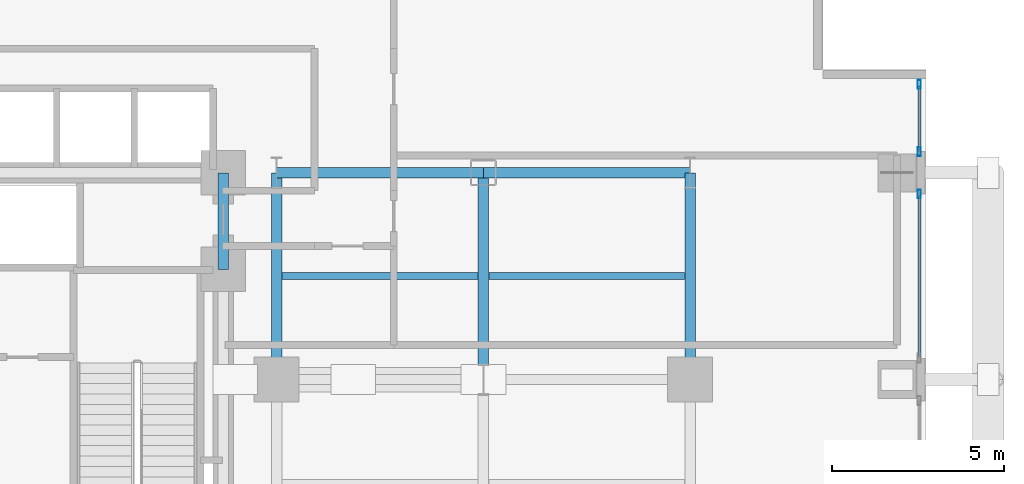
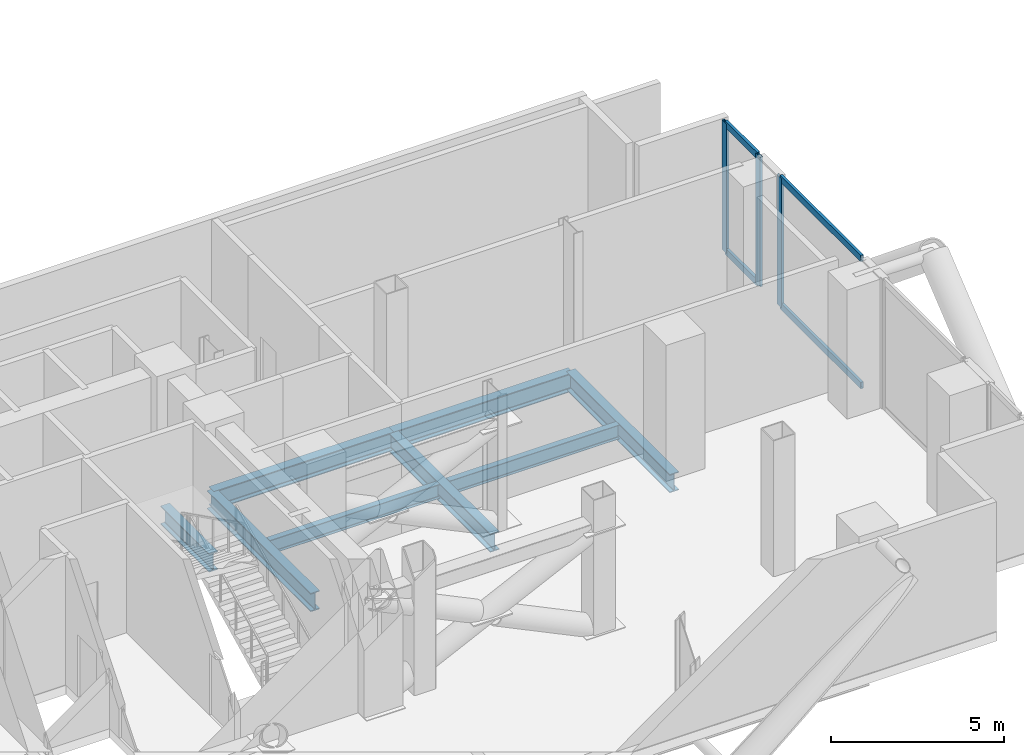
# One storey, part 5 of 10: 8 beams, 7 members, 2 elements without a shape of their own.
"""IFC4 building model written with IfcOpenShell, lengths in metres."""

from ifc_helpers import new_model, si_unit, direction, frame, origin, origin_2d, place, context, subcontext, project, spatial, hollow_rectangle, i_section, extrude, material, layer, layer_set, material_profile, profile_set, type_object, element, aggregate, save


model = new_model("IFC4")

# Units and contexts
model_context = context("Model", 3, precision=1e-05, world=origin(), true_north=direction((0.0, 1.0)))
body_context = subcontext(model_context, "Body", "Model", "MODEL_VIEW")
ifc_project = project(units=[si_unit("LENGTHUNIT", "METRE"), si_unit("AREAUNIT", "SQUARE_METRE"), si_unit("VOLUMEUNIT", "CUBIC_METRE"), si_unit("PLANEANGLEUNIT", "RADIAN"), si_unit("MASSUNIT", "GRAM", prefix="KILO"), si_unit("THERMODYNAMICTEMPERATUREUNIT", "KELVIN"), si_unit("POWERUNIT", "WATT")], contexts=[model_context])

# Site, building, storey
site_placement = place(None, origin())
site = spatial("IfcSite", under=ifc_project, at=site_placement, CompositionType="ELEMENT")
building_placement = place(site_placement, origin())
building = spatial("IfcBuilding", under=site, at=building_placement, Name="Svarakhadi Broadcast Tower", CompositionType="ELEMENT")
storey_placement = place(building_placement, frame((0.0, 0.0, 94.800048828125)))
storey = spatial("IfcBuildingStorey", under=building, at=storey_placement, Name="L22", CompositionType="ELEMENT", Elevation=94.800048828125)

# Beams
ifc_material_1 = material(Name="Steel S355J2 (IS 2062 E350C)", Category="steel")
ifc_material_profile_1 = material_profile(ifc_material_1, i_section(OverallWidth=0.199951171875, OverallDepth=0.5, WebThickness=0.01025390625, FlangeThickness=0.01611328125, FilletRadius=0.02099609375, at=origin_2d()), Name="NPB 500x200x91")
ifc_profile_set_1 = profile_set([ifc_material_profile_1], Name="Steel S355J2 (IS 2062 E350C)")
beam_type_1 = type_object("IfcBeamType", Name="Beam_NPB500", PredefinedType="BEAM", material=ifc_profile_set_1)
for number, where, z_axis, x_axis, name in (
    (1, (35.31005859375, 15.0, -0.574951171875), (1.0, 0.0, 0.0), (0.0, 1.0, 0.0), "L22 Secondary Composite Beam SB024"),
    (2, (41.31005859375, 15.0, -0.574951171875), (1.0, 0.0, 0.0), (0.0, 1.0, 0.0), "L22 Secondary Composite Beam SB027"),
):
    element("IfcBeam", number, at=place(storey_placement, frame(where, z_axis=z_axis, x_axis=x_axis)), inside=storey, type_object=beam_type_1, Name=name, PredefinedType="BEAM", context=body_context, shape_type="SweptSolid", body=[
        extrude(i_section(OverallWidth=0.199951171875, OverallDepth=0.5, WebThickness=0.01025390625, FlangeThickness=0.01611328125, FilletRadius=0.02099609375, at=origin_2d()), origin(), (0.0, 0.0, 1.0), 5.679931640625),
    ])

# Curtain wall, members
ifc_material_2 = material(Name="Anodised Bronze Aluminium AA 6063-T6", Category="aluminium")
ifc_layer = layer(ifc_material_2, 0.260009765625)
ifc_layer_set = layer_set([ifc_layer], Name="Anodised Bronze Aluminium AA 6063-T6")
curtain_wall_type = type_object("IfcCurtainWallType", Name="CW_Sys_07", PredefinedType="NOTDEFINED", material=ifc_layer_set)
curtain_wall_1_placement = place(storey_placement, origin())
curtain_wall_1 = element("IfcCurtainWall", 3, at=curtain_wall_1_placement, inside=storey, type_object=curtain_wall_type, Name="L22 East Plant Daylighting Curtain Wall CW-07 Bay 1", PredefinedType="NOTDEFINED")
ifc_material_profile_2 = material_profile(ifc_material_2, hollow_rectangle(XDim=0.090087890625, YDim=0.260009765625, WallThickness=0.005615234375, at=origin_2d()), Name="ALU MULLION 260x90x6")
ifc_profile_set_2 = profile_set([ifc_material_profile_2], Name="Anodised Bronze Aluminium AA 6063-T6")
member_type_1 = type_object("IfcMemberType", Name="CW_Sys_07_Mul", PredefinedType="MULLION", material=ifc_profile_set_2)
member_1_placement = place(storey_placement, frame((53.800048828125, 20.56494140625, 0.0), z_axis=(0.0, 0.0, 1.0), x_axis=(1.0, 0.0, 0.0)))
member_1 = element("IfcMember", 4, at=member_1_placement, type_object=member_type_1, Name="CW-07 mullion 1", PredefinedType="MULLION", context=body_context, shape_type="SweptSolid", body=[
    extrude(hollow_rectangle(XDim=0.090087890625, YDim=0.260009765625, WallThickness=0.005615234375, at=origin_2d()), origin(), (0.0, 0.0, 1.0), 4.574951171875),
])
member_2_placement = place(storey_placement, frame((53.800048828125, 18.614990234375, 0.0), z_axis=(0.0, 0.0, 1.0), x_axis=(1.0, 0.0, 0.0)))
member_2 = element("IfcMember", 5, at=member_2_placement, type_object=member_type_1, Name="CW-07 mullion 2", PredefinedType="MULLION", context=body_context, shape_type="SweptSolid", body=[
    extrude(hollow_rectangle(XDim=0.090087890625, YDim=0.260009765625, WallThickness=0.005615234375, at=origin_2d()), origin(), (0.0, 0.0, 1.0), 4.574951171875),
])

# Curtain wall, member
curtain_wall_2_placement = place(storey_placement, origin())
curtain_wall_2 = element("IfcCurtainWall", 6, at=curtain_wall_2_placement, inside=storey, type_object=curtain_wall_type, Name="L22 East Plant Daylighting Curtain Wall CW-07 Bay 2", PredefinedType="NOTDEFINED")
member_3_placement = place(storey_placement, frame((53.800048828125, 17.385009765625, 0.0), z_axis=(0.0, 0.0, 1.0), x_axis=(1.0, 0.0, 0.0)))
member_3 = element("IfcMember", 7, at=member_3_placement, type_object=member_type_1, Name="CW-07 mullion 1", PredefinedType="MULLION", context=body_context, shape_type="SweptSolid", body=[
    extrude(hollow_rectangle(XDim=0.090087890625, YDim=0.260009765625, WallThickness=0.005615234375, at=origin_2d()), origin(), (0.0, 0.0, 1.0), 4.574951171875),
])

# Member
ifc_material_profile_3 = material_profile(ifc_material_2, hollow_rectangle(XDim=0.090087890625, YDim=0.22998046875, WallThickness=0.0048828125, at=origin_2d()), Name="ALU TRANSOM 230x90x5")
ifc_profile_set_3 = profile_set([ifc_material_profile_3], Name="Anodised Bronze Aluminium AA 6063-T6")
member_type_2 = type_object("IfcMemberType", Name="CW_Sys_07_Trn", PredefinedType="USERDEFINED", material=ifc_profile_set_3)
member_4_placement = place(storey_placement, frame((53.800048828125, 20.52001953125, 0.044921875), z_axis=(0.0, -1.0, 0.0), x_axis=(1.0, 0.0, 0.0)))
member_4 = element("IfcMember", 8, at=member_4_placement, type_object=member_type_2, Name="CW-07 transom 1.1", ObjectType="TRANSOM", PredefinedType="USERDEFINED", context=body_context, shape_type="SweptSolid", body=[
    extrude(hollow_rectangle(XDim=0.090087890625, YDim=0.22998046875, WallThickness=0.0048828125, at=origin_2d()), origin(), (0.0, 0.0, 1.0), 1.860107421875),
])

member_5_placement = place(storey_placement, frame((53.800048828125, 20.52001953125, 4.530029296875), z_axis=(0.0, -1.0, 0.0), x_axis=(1.0, 0.0, 0.0)))
member_5 = element("IfcMember", 9, at=member_5_placement, type_object=member_type_2, Name="CW-07 transom 1.2", ObjectType="TRANSOM", PredefinedType="USERDEFINED", context=body_context, shape_type="SweptSolid", body=[
    extrude(hollow_rectangle(XDim=0.090087890625, YDim=0.22998046875, WallThickness=0.0048828125, at=origin_2d()), origin(), (0.0, 0.0, 1.0), 1.860107421875),
])

aggregate(curtain_wall_1, [member_1, member_2, member_4, member_5])

member_6_placement = place(storey_placement, frame((53.800048828125, 17.340087890625, 0.044921875), z_axis=(0.0, -1.0, 0.0), x_axis=(1.0, 0.0, 0.0)))
member_6 = element("IfcMember", 10, at=member_6_placement, type_object=member_type_2, Name="CW-07 transom 1.1", ObjectType="TRANSOM", PredefinedType="USERDEFINED", context=body_context, shape_type="SweptSolid", body=[
    extrude(hollow_rectangle(XDim=0.090087890625, YDim=0.22998046875, WallThickness=0.0048828125, at=origin_2d()), origin(), (0.0, 0.0, 1.0), 4.68017578125),
])

member_7_placement = place(storey_placement, frame((53.800048828125, 17.340087890625, 4.530029296875), z_axis=(0.0, -1.0, 0.0), x_axis=(1.0, 0.0, 0.0)))
member_7 = element("IfcMember", 11, at=member_7_placement, type_object=member_type_2, Name="CW-07 transom 1.2", ObjectType="TRANSOM", PredefinedType="USERDEFINED", context=body_context, shape_type="SweptSolid", body=[
    extrude(hollow_rectangle(XDim=0.090087890625, YDim=0.22998046875, WallThickness=0.0048828125, at=origin_2d()), origin(), (0.0, 0.0, 1.0), 4.68017578125),
])

aggregate(curtain_wall_2, [member_3, member_6, member_7])

# Beams
ifc_material_profile_4 = material_profile(ifc_material_1, i_section(OverallWidth=0.300048828125, OverallDepth=0.64990234375, WebThickness=0.01611328125, FlangeThickness=0.031005859375, FilletRadius=0.027099609375, at=origin_2d()), Name="WPB 650x300x225")
ifc_profile_set_4 = profile_set([ifc_material_profile_4], Name="Steel S355J2 (IS 2062 E350C)")
beam_type_2 = type_object("IfcBeamType", Name="Girder_WPB650", PredefinedType="USERDEFINED", material=ifc_profile_set_4)
for number, where, z_axis, x_axis, name in (
    (12, (35.14990234375, 18.0, -0.650146484375), (1.0, 0.0, 0.0), (0.0, 1.0, 0.0), "L22 Primary E-W Girder G030"),
    (13, (41.14990234375, 18.0, -0.650146484375), (1.0, 0.0, 0.0), (0.0, 1.0, 0.0), "L22 Primary E-W Girder G031"),
):
    element("IfcBeam", number, at=place(storey_placement, frame(where, z_axis=z_axis, x_axis=x_axis)), inside=storey, type_object=beam_type_2, Name=name, ObjectType="GIRDER", PredefinedType="USERDEFINED", context=body_context, shape_type="SweptSolid", body=[
        extrude(i_section(OverallWidth=0.300048828125, OverallDepth=0.64990234375, WebThickness=0.01611328125, FlangeThickness=0.031005859375, FilletRadius=0.027099609375, at=origin_2d()), origin(), (0.0, 0.0, 1.0), 6.0),
    ])
beam_placement = place(storey_placement, frame((33.60009765625, 15.199951171875, -0.650146484375), z_axis=(0.0, 1.0, 0.0), x_axis=(-1.0, 0.0, 0.0)))
element("IfcBeam", 14, at=beam_placement, inside=storey, type_object=beam_type_2, Name="L22 Primary N-S Girder G075", ObjectType="GIRDER", PredefinedType="USERDEFINED", context=body_context, shape_type="SweptSolid", body=[
    extrude(i_section(OverallWidth=0.300048828125, OverallDepth=0.64990234375, WebThickness=0.01611328125, FlangeThickness=0.031005859375, FilletRadius=0.027099609375, at=origin_2d()), origin(), (0.0, 0.0, 1.0), 2.800048828125),
])
for number, where, z_axis, x_axis, name in (
    (15, (35.14990234375, 12.0, -0.650146484375), (0.0, 1.0, 0.0), (-1.0, 0.0, 0.0), "L22 Primary N-S Girder G078"),
    (16, (41.14990234375, 12.0, -0.650146484375), (0.0, 1.0, 0.0), (-1.0, 0.0, 0.0), "L22 Primary N-S Girder G081"),
    (17, (47.14990234375, 12.0, -0.650146484375), (0.0, 1.0, 0.0), (-1.0, 0.0, 0.0), "L22 Primary N-S Girder G084"),
):
    element("IfcBeam", number, at=place(storey_placement, frame(where, z_axis=z_axis, x_axis=x_axis)), inside=storey, type_object=beam_type_2, Name=name, ObjectType="GIRDER", PredefinedType="USERDEFINED", context=body_context, shape_type="SweptSolid", body=[
        extrude(i_section(OverallWidth=0.300048828125, OverallDepth=0.64990234375, WebThickness=0.01611328125, FlangeThickness=0.031005859375, FilletRadius=0.027099609375, at=origin_2d()), origin(), (0.0, 0.0, 1.0), 6.0),
    ])

save(model, "model.ifc")
